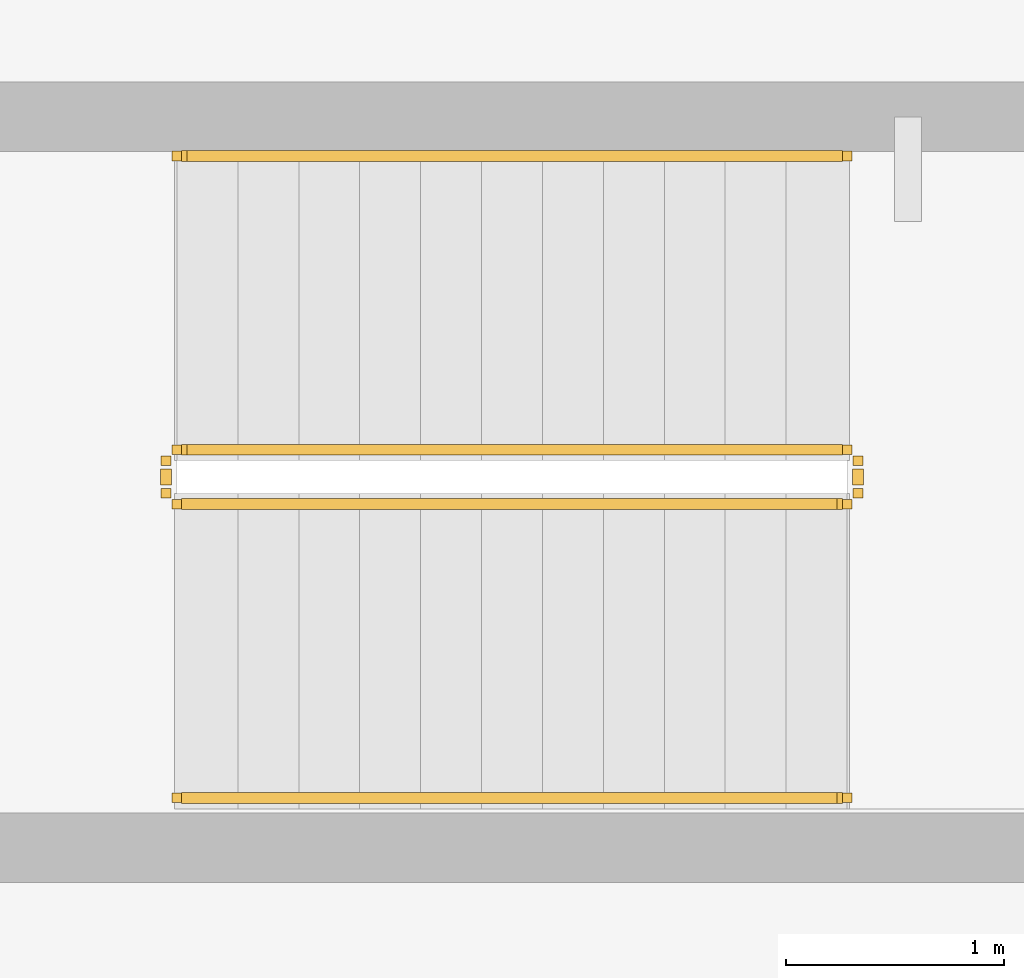
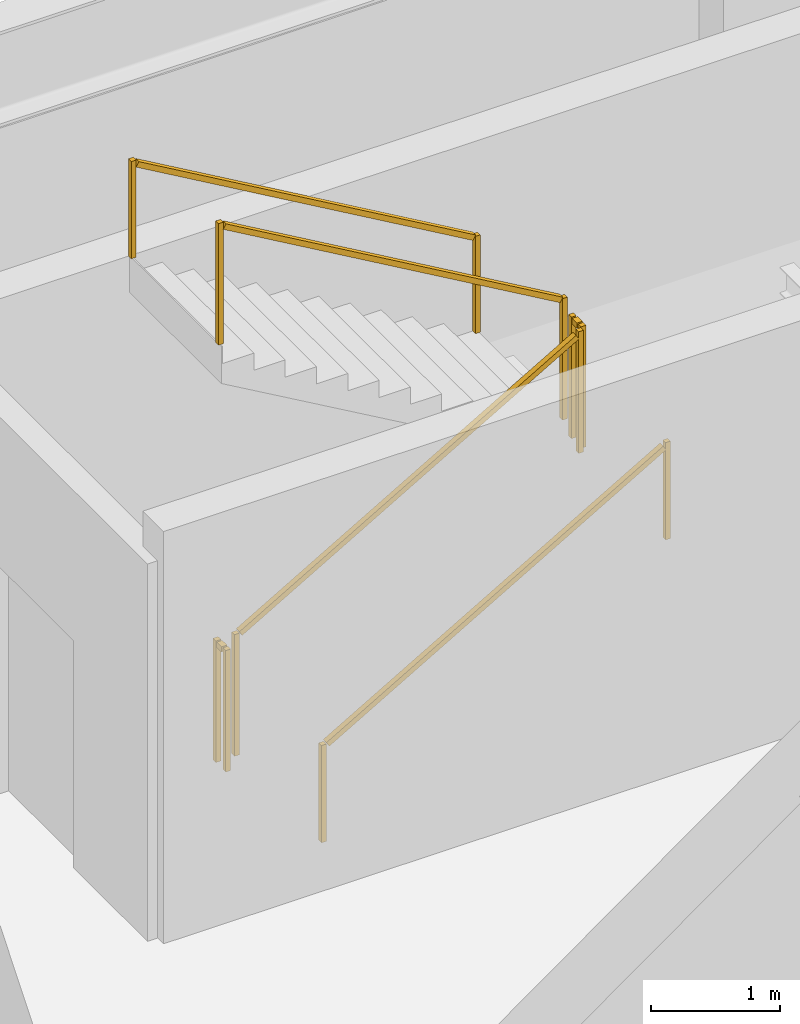
# One storey, part 13 of 15: 6 railings.
"""IFC4 building model written with IfcOpenShell, lengths in metres."""

from ifc_helpers import new_model, si_unit, direction, frame, origin, origin_2d, place, context, subcontext, project, spatial, rectangle, extrude, material, type_object, element, save


model = new_model("IFC4")

# Units and contexts
model_context = context("Model", 3, precision=1e-05, world=origin(), true_north=direction((0.0, 1.0)))
body_context = subcontext(model_context, "Body", "Model", "MODEL_VIEW")
ifc_project = project(units=[si_unit("LENGTHUNIT", "METRE"), si_unit("AREAUNIT", "SQUARE_METRE"), si_unit("VOLUMEUNIT", "CUBIC_METRE"), si_unit("PLANEANGLEUNIT", "RADIAN"), si_unit("MASSUNIT", "GRAM", prefix="KILO")], contexts=[model_context])

# Site, building, storey
site_placement = place(None, origin())
site = spatial("IfcSite", under=ifc_project, at=site_placement, CompositionType="ELEMENT")
building_placement = place(site_placement, origin())
building = spatial("IfcBuilding", under=site, at=building_placement, Name="Yunling Apex Tower", CompositionType="ELEMENT")
storey_placement = place(building_placement, frame((0.0, 0.0, 12.300048828125)))
storey = spatial("IfcBuildingStorey", under=building, at=storey_placement, Name="L04", CompositionType="ELEMENT", Elevation=12.300048828125)

# Railings
ifc_material_1 = material(Name="Steel Q355B", Category="steel")
railing_type_1 = type_object("IfcRailingType", Name="RL-GRD-1150", PredefinedType="GUARDRAIL", material=ifc_material_1)
railing_1_placement = place(storey_placement, frame((-30.050048828125, 24.199951171875, 0.162353515625)))
element("IfcRailing", 1, at=railing_1_placement, inside=storey, type_object=railing_type_1, Name="L04 ST-G1 stair guard 1", PredefinedType="GUARDRAIL", context=body_context, shape_type="SweptSolid", body=[
    extrude(rectangle(XDim=0.0439453125, YDim=0.0439453125, at=origin_2d()), origin(), (0.0, 0.0, 1.0), 1.14990234375),
    extrude(rectangle(XDim=0.0439453125, YDim=0.0439453125, at=origin_2d()), frame((3.080078125, 0.0, 1.78759765625)), (0.0, 0.0, 1.0), 1.14990234375),
    extrude(rectangle(XDim=0.050048828125, YDim=0.050048828125, at=origin_2d()), frame((0.033203125, 0.0, 1.14404296875), z_axis=(0.864890721111, 0.0, 0.501960198159), x_axis=(0.0, 1.0, 0.0)), (0.0, 0.0, 1.0), 3.484619140625),
])
railing_2_placement = place(storey_placement, frame((-26.919921875, 24.25, 1.949951171875)))
element("IfcRailing", 2, at=railing_2_placement, inside=storey, type_object=railing_type_1, Name="L04 ST-G1 stair guard 2", PredefinedType="GUARDRAIL", context=body_context, shape_type="SweptSolid", body=[
    extrude(rectangle(XDim=0.0439453125, YDim=0.0439453125, at=origin_2d()), origin(), (0.0, 0.0, 1.0), 1.14990234375),
    extrude(rectangle(XDim=0.0439453125, YDim=0.0439453125, at=origin_2d()), frame((0.0, 0.14990234375, 0.0)), (0.0, 0.0, 1.0), 1.14990234375),
    extrude(rectangle(XDim=0.050048828125, YDim=0.050048828125, at=origin_2d()), frame((0.0, 0.038330078125, 1.125), z_axis=(0.0, 1.0, 0.0), x_axis=(-1.0, 0.0, 0.0)), (0.0, 0.0, 1.0), 0.0732421875),
])
railing_3_placement = place(storey_placement, frame((-26.969970703125, 24.449951171875, 2.112548828125)))
element("IfcRailing", 3, at=railing_3_placement, inside=storey, type_object=railing_type_1, Name="L04 ST-G1 stair guard 3", PredefinedType="GUARDRAIL", context=body_context, shape_type="SweptSolid", body=[
    extrude(rectangle(XDim=0.0439453125, YDim=0.0439453125, at=origin_2d()), origin(), (0.0, 0.0, 1.0), 1.14990234375),
    extrude(rectangle(XDim=0.0439453125, YDim=0.0439453125, at=origin_2d()), frame((-3.080078125, 0.0, 1.787353515625)), (0.0, 0.0, 1.0), 1.14990234375),
    extrude(rectangle(XDim=0.050048828125, YDim=0.050048828125, at=origin_2d()), frame((-0.033203125, 0.0, 1.14404296875), z_axis=(-0.864920483161, 0.0, 0.501908913857), x_axis=(0.0, -1.0, 0.0)), (0.0, 0.0, 1.0), 3.484375),
])
railing_4_placement = place(storey_placement, frame((-30.10009765625, 24.25, 0.0)))
element("IfcRailing", 4, at=railing_4_placement, inside=storey, type_object=railing_type_1, Name="L04 ST-G1 stair guard 4", PredefinedType="GUARDRAIL", context=body_context, shape_type="SweptSolid", body=[
    extrude(rectangle(XDim=0.0439453125, YDim=0.0439453125, at=origin_2d()), origin(), (0.0, 0.0, 1.0), 1.14990234375),
    extrude(rectangle(XDim=0.0439453125, YDim=0.0439453125, at=origin_2d()), frame((0.0, 0.14990234375, 0.0)), (0.0, 0.0, 1.0), 1.14990234375),
    extrude(rectangle(XDim=0.050048828125, YDim=0.050048828125, at=origin_2d()), frame((0.0, 0.038330078125, 1.125), z_axis=(0.0, 1.0, 0.0), x_axis=(-1.0, 0.0, 0.0)), (0.0, 0.0, 1.0), 0.0732421875),
])
ifc_material_2 = material(Name="Silver anodised aluminium", Category="aluminium")
railing_type_2 = type_object("IfcRailingType", Name="RL-HND-900", PredefinedType="HANDRAIL", material=ifc_material_2)
railing_5_placement = place(storey_placement, frame((-30.050048828125, 22.85009765625, 0.162353515625)))
element("IfcRailing", 5, at=railing_5_placement, inside=storey, type_object=railing_type_2, Name="L04 ST-G1 stair handrail 1", PredefinedType="HANDRAIL", context=body_context, shape_type="SweptSolid", body=[
    extrude(rectangle(XDim=0.0439453125, YDim=0.0439453125, at=origin_2d()), origin(), (0.0, 0.0, 1.0), 0.919921875),
    extrude(rectangle(XDim=0.0439453125, YDim=0.0439453125, at=origin_2d()), frame((3.080078125, 0.0, 1.78759765625)), (0.0, 0.0, 1.0), 0.919921875),
    extrude(rectangle(XDim=0.050048828125, YDim=0.050048828125, at=origin_2d()), frame((0.033203125, 0.0, 0.9140625), z_axis=(0.864890721111, 0.0, 0.501960198159), x_axis=(0.0, 1.0, 0.0)), (0.0, 0.0, 1.0), 3.484619140625),
])
railing_6_placement = place(storey_placement, frame((-26.969970703125, 25.800048828125, 2.112548828125)))
element("IfcRailing", 6, at=railing_6_placement, inside=storey, type_object=railing_type_2, Name="L04 ST-G1 stair handrail 2", PredefinedType="HANDRAIL", context=body_context, shape_type="SweptSolid", body=[
    extrude(rectangle(XDim=0.0439453125, YDim=0.0439453125, at=origin_2d()), origin(), (0.0, 0.0, 1.0), 0.919921875),
    extrude(rectangle(XDim=0.0439453125, YDim=0.0439453125, at=origin_2d()), frame((-3.080078125, 0.0, 1.787353515625)), (0.0, 0.0, 1.0), 0.919921875),
    extrude(rectangle(XDim=0.050048828125, YDim=0.050048828125, at=origin_2d()), frame((-0.033203125, 0.0, 0.9140625), z_axis=(-0.864920483161, 0.0, 0.501908913857), x_axis=(0.0, -1.0, 0.0)), (0.0, 0.0, 1.0), 3.484375),
])

save(model, "model.ifc")
